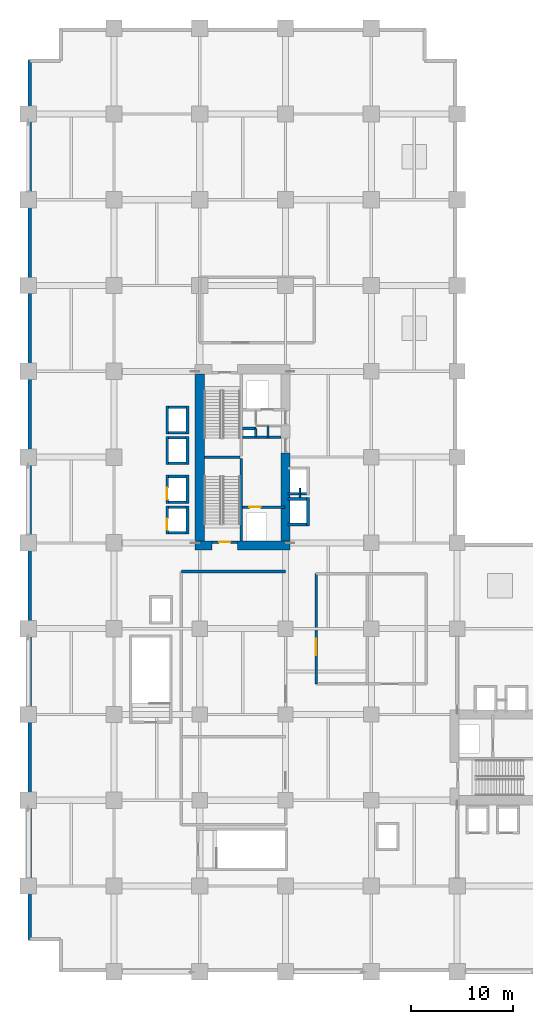
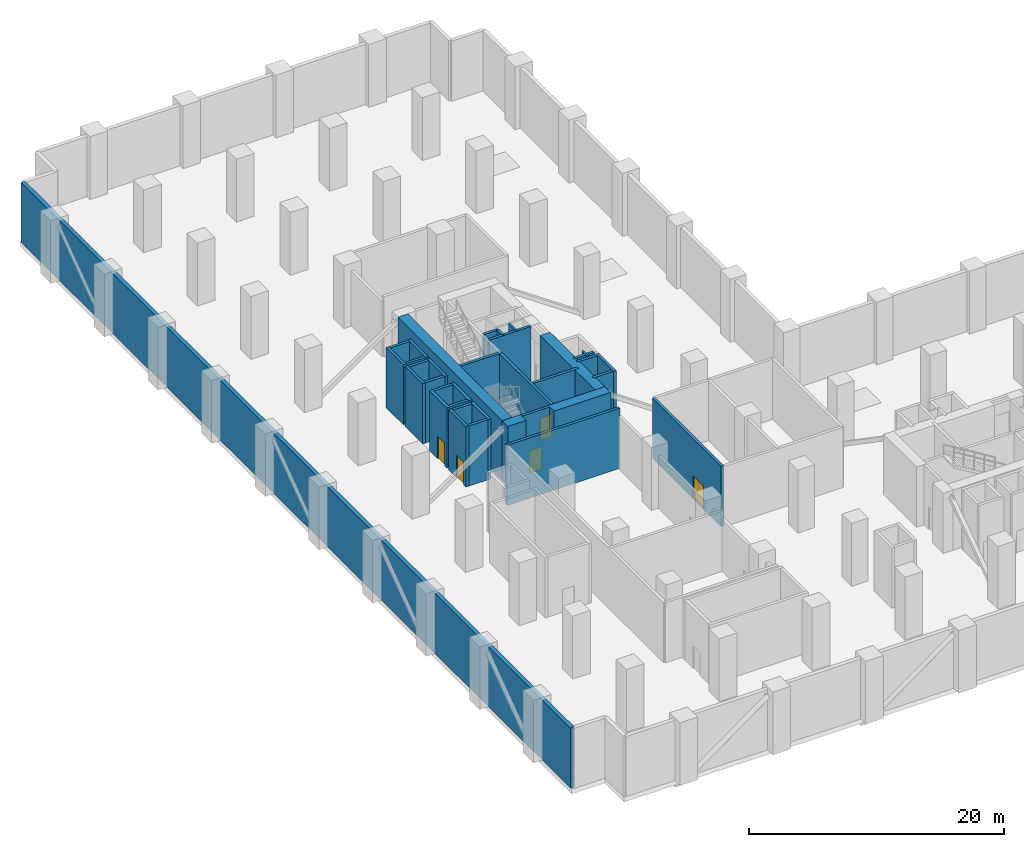
# One storey, part 15 of 20: 36 walls, 5 doors, 5 openings.
"""IFC4 building model written with IfcOpenShell, lengths in metres."""

from ifc_helpers import new_model, si_unit, direction, frame, frame_2d, origin, place, context, subcontext, project, spatial, rectangle, extrude, material, layer, layer_set, type_object, element, fill, save


model = new_model("IFC4")

# Units and contexts
model_context = context("Model", 3, precision=1e-05, world=origin(), true_north=direction((0.0, 1.0)))
body_context = subcontext(model_context, "Body", "Model", "MODEL_VIEW")
ifc_project = project(units=[si_unit("LENGTHUNIT", "METRE"), si_unit("AREAUNIT", "SQUARE_METRE"), si_unit("VOLUMEUNIT", "CUBIC_METRE"), si_unit("PLANEANGLEUNIT", "RADIAN"), si_unit("MASSUNIT", "GRAM", prefix="KILO")], contexts=[model_context])

# Site, building, storey
site_placement = place(None, origin())
site = spatial("IfcSite", under=ifc_project, at=site_placement, CompositionType="ELEMENT")
building_placement = place(site_placement, origin())
building = spatial("IfcBuilding", under=site, at=building_placement, Name="Koriwani Terraces Tower", CompositionType="ELEMENT")
storey_placement = place(building_placement, frame((0.0, 0.0, 26.0)))
storey = spatial("IfcBuildingStorey", under=building, at=storey_placement, Name="L05", CompositionType="ELEMENT", Elevation=26.0)

# Walls
ifc_material_1 = material(Name="Concrete C60/75", Category="concrete")
ifc_layer_1 = layer(ifc_material_1, 0.89990234375, Name="Concrete C60/75")
ifc_layer_set_1 = layer_set([ifc_layer_1], Name="Concrete C60/75")
wall_type_1 = type_object("IfcWallType", Name="WALL_CORE_RC_900", PredefinedType="SHEAR", material=ifc_layer_set_1)
wall_1_placement = place(storey_placement, frame((16.35009765625, 41.75, 0.0), z_axis=(0.0, 0.0, 1.0), x_axis=(1.0, 0.0, 0.0)))
element("IfcWall", 1, at=wall_1_placement, inside=storey, type_object=wall_type_1, Name="L05 West Split Core Shear Wall S1", PredefinedType="SHEAR", context=body_context, shape_type="SweptSolid", body=[
    extrude(rectangle(XDim=1.64990234375, YDim=0.89990234375, at=frame_2d((0.824951171875, 0.0))), origin(), (0.0, 0.0, 1.0), 5.75),
])
wall_2_placement = place(storey_placement, frame((20.5, 41.75, 0.0), z_axis=(0.0, 0.0, 1.0), x_axis=(1.0, 0.0, 0.0)))
element("IfcWall", 2, at=wall_2_placement, inside=storey, type_object=wall_type_1, Name="L05 West Split Core Shear Wall S2", PredefinedType="SHEAR", context=body_context, shape_type="SweptSolid", body=[
    extrude(rectangle(XDim=5.14990234375, YDim=0.89990234375, at=frame_2d((2.574951171875, 0.0))), origin(), (0.0, 0.0, 1.0), 5.75),
])
wall_3_placement = place(storey_placement, frame((16.800048828125, 42.199951171875, 0.0), z_axis=(0.0, 0.0, 1.0), x_axis=(0.0, 1.0, 0.0)))
element("IfcWall", 3, at=wall_3_placement, inside=storey, type_object=wall_type_1, Name="L05 West Split Core Shear Wall W1", PredefinedType="SHEAR", context=body_context, shape_type="SweptSolid", body=[
    extrude(rectangle(XDim=16.35009765625, YDim=0.89990234375, at=frame_2d((8.175048828125, 0.0))), origin(), (0.0, 0.0, 1.0), 5.75),
])
wall_4_placement = place(storey_placement, frame((25.199951171875, 42.199951171875, 0.0), z_axis=(0.0, 0.0, 1.0), x_axis=(0.0, 1.0, 0.0)))
element("IfcWall", 4, at=wall_4_placement, inside=storey, type_object=wall_type_1, Name="L05 West Split Core Shear Wall E1", PredefinedType="SHEAR", context=body_context, shape_type="SweptSolid", body=[
    extrude(rectangle(XDim=8.60009765625, YDim=0.89990234375, at=frame_2d((4.300048828125, 0.0))), origin(), (0.0, 0.0, 1.0), 5.75),
])
ifc_material_2 = material(Name="Concrete C50/60", Category="concrete")
ifc_layer_2 = layer(ifc_material_2, 0.35009765625, Name="Concrete C50/60")
ifc_layer_set_2 = layer_set([ifc_layer_2], Name="Concrete C50/60")
wall_type_2 = type_object("IfcWallType", Name="WALL_EXT_BRUTALIST_350", PredefinedType="STANDARD", material=ifc_layer_set_2)
wall_5_placement = place(storey_placement, frame((0.175048828125, 3.175048828125, 0.0), z_axis=(0.0, 0.0, 1.0), x_axis=(0.0, 1.0, 0.0)))
element("IfcWall", 5, at=wall_5_placement, inside=storey, type_object=wall_type_2, Name="L05 Fair-Faced Brutalist Exterior Wall (W)", PredefinedType="STANDARD", context=body_context, shape_type="SweptSolid", body=[
    extrude(rectangle(XDim=86.050048828125, YDim=0.35009765625, at=frame_2d((43.02490234375, 0.0))), origin(), (0.0, 0.0, 1.0), 5.75),
])
ifc_material_3 = material(Name="Concrete C40/50", Category="concrete")
ifc_layer_3 = layer(ifc_material_3, 0.25, Name="Concrete C40/50")
ifc_layer_set_3 = layer_set([ifc_layer_3], Name="Concrete C40/50")
wall_type_3 = type_object("IfcWallType", Name="WALL_SHAFT_RATED_250", PredefinedType="SOLIDWALL", material=ifc_layer_set_3)
wall_6_placement = place(storey_placement, frame((20.875, 42.199951171875, 0.0), z_axis=(0.0, 0.0, 1.0), x_axis=(0.0, 1.0, 0.0)))
element("IfcWall", 6, at=wall_6_placement, inside=storey, type_object=wall_type_3, Name="L05 West Split Core Web Wall MID1", PredefinedType="SOLIDWALL", context=body_context, shape_type="SweptSolid", body=[
    extrude(rectangle(XDim=8.050048828125, YDim=0.25, at=frame_2d((4.02490234375, 0.0))), origin(), (0.0, 0.0, 1.0), 5.75),
])
wall_7_placement = place(storey_placement, frame((17.25, 50.375, 0.0), z_axis=(0.0, 0.0, 1.0), x_axis=(1.0, 0.0, 0.0)))
element("IfcWall", 7, at=wall_7_placement, inside=storey, type_object=wall_type_3, Name="L05 West Split Core Stair Dividing Wall", PredefinedType="SOLIDWALL", context=body_context, shape_type="SweptSolid", body=[
    extrude(rectangle(XDim=3.5, YDim=0.25, at=frame_2d((1.75, 0.0))), origin(), (0.0, 0.0, 1.0), 5.75),
])

# Wall, opening, door
wall_8_placement = place(storey_placement, frame((18.0, 42.074951171875, 0.0), z_axis=(0.0, 0.0, 1.0), x_axis=(1.0, 0.0, 0.0)))
wall_8 = element("IfcWall", 8, at=wall_8_placement, inside=storey, type_object=wall_type_3, Name="L05 Interior Wall WIN-CW-L05-STS", PredefinedType="SOLIDWALL", context=body_context, shape_type="SweptSolid", body=[
    extrude(rectangle(XDim=2.5, YDim=0.25, at=frame_2d((1.25, 0.0))), origin(), (0.0, 0.0, 1.0), 5.75),
])
opening_1_placement = place(wall_8_placement, frame((0.699951171875, 0.0, 0.0)))
opening_1 = element("IfcOpeningElement", 9, at=opening_1_placement, cuts=wall_8, Name="Opening D-03", PredefinedType="OPENING", context=body_context, shape_type="SweptSolid", body=[
    extrude(rectangle(XDim=1.10009765625, YDim=2.14990234375, at=frame_2d((0.550048828125, 1.074951171875))), frame((0.0, 0.135009765625, 0.0), z_axis=(0.0, -1.0, 0.0), x_axis=(1.0, 0.0, 0.0)), (0.0, 0.0, 1.0), 0.27001953125),
])
ifc_material_4 = material(Name="Steel ASTM A572 Grade 50", Category="steel")
door_type_1 = type_object("IfcDoorType", Name="DOOR_STAIR_FIRE_1100X2150", OperationType="NOTDEFINED", PredefinedType="DOOR", material=ifc_material_4)
door_1_placement = place(opening_1_placement, origin())
door_1 = element("IfcDoor", 10, at=door_1_placement, inside=storey, type_object=door_type_1, Name="L05 Exit Stair ST-W1 Door", OperationType="SINGLE_SWING_LEFT", OverallHeight=2.14990234375, OverallWidth=1.10009765625, PredefinedType="DOOR", context=body_context, shape_type="SweptSolid", body=[
    extrude(rectangle(XDim=1.10009765625, YDim=2.14990234375, at=frame_2d((0.550048828125, 1.074951171875))), frame((0.0, 0.02490234375, 0.0), z_axis=(0.0, -1.0, 0.0), x_axis=(1.0, 0.0, 0.0)), (0.0, 0.0, 1.0), 0.050048828125),
])
fill(opening_1, door_1)

wall_9_placement = place(storey_placement, frame((21.0, 45.5, 0.0), z_axis=(0.0, 0.0, 1.0), x_axis=(1.0, 0.0, 0.0)))
wall_9 = element("IfcWall", 11, at=wall_9_placement, inside=storey, type_object=wall_type_3, Name="L05 Interior Wall WIN-CW-L05-FE", PredefinedType="SOLIDWALL", context=body_context, shape_type="SweptSolid", body=[
    extrude(rectangle(XDim=4.14990234375, YDim=0.25, at=frame_2d((2.074951171875, 0.0))), origin(), (0.0, 0.0, 1.0), 5.75),
])
opening_2_placement = place(wall_9_placement, frame((0.64990234375, 0.0, 0.0)))
opening_2 = element("IfcOpeningElement", 12, at=opening_2_placement, cuts=wall_9, Name="Opening LD-01", PredefinedType="OPENING", context=body_context, shape_type="SweptSolid", body=[
    extrude(rectangle(XDim=1.10009765625, YDim=2.14990234375, at=frame_2d((0.550048828125, 1.074951171875))), frame((0.0, 0.135009765625, 0.0), z_axis=(0.0, -1.0, 0.0), x_axis=(1.0, 0.0, 0.0)), (0.0, 0.0, 1.0), 0.27001953125),
])
door_type_2 = type_object("IfcDoorType", Name="DOOR_LIFT_LANDING_1100X2200", OperationType="NOTDEFINED", PredefinedType="DOOR", material=ifc_material_4)
door_2_placement = place(opening_2_placement, origin())
door_2 = element("IfcDoor", 13, at=door_2_placement, inside=storey, type_object=door_type_2, Name="L05 Firefighting Lift FE-01 Landing Door", OperationType="SLIDING_TO_LEFT", OverallHeight=2.14990234375, OverallWidth=1.10009765625, PredefinedType="DOOR", context=body_context, shape_type="SweptSolid", body=[
    extrude(rectangle(XDim=1.10009765625, YDim=2.14990234375, at=frame_2d((0.550048828125, 1.074951171875))), frame((0.0, 0.02490234375, 0.0), z_axis=(0.0, -1.0, 0.0), x_axis=(1.0, 0.0, 0.0)), (0.0, 0.0, 1.0), 0.050048828125),
])
fill(opening_2, door_2)

# Walls
wall_10_placement = place(storey_placement, frame((21.0, 52.340087890625, 0.0), z_axis=(0.0, 0.0, 1.0), x_axis=(1.0, 0.0, 0.0)))
element("IfcWall", 14, at=wall_10_placement, inside=storey, type_object=wall_type_3, Name="L05 Interior Wall WIN-CW-L05-FFN", PredefinedType="SOLIDWALL", context=body_context, shape_type="SweptSolid", body=[
    extrude(rectangle(XDim=3.75, YDim=0.25, at=frame_2d((1.875, 0.0))), origin(), (0.0, 0.0, 1.0), 5.75),
])
wall_11_placement = place(storey_placement, frame((21.0, 53.199951171875, 0.0), z_axis=(0.0, 0.0, 1.0), x_axis=(1.0, 0.0, 0.0)))
element("IfcWall", 15, at=wall_11_placement, inside=storey, type_object=wall_type_3, Name="L05 Interior Wall WIN-CW-L05-RS1", PredefinedType="SOLIDWALL", context=body_context, shape_type="SweptSolid", body=[
    extrude(rectangle(XDim=1.300048828125, YDim=0.25, at=frame_2d((0.64990234375, 0.0))), origin(), (0.0, 0.0, 1.0), 5.75),
])
wall_12_placement = place(storey_placement, frame((22.300048828125, 52.360107421875, 0.0), z_axis=(0.0, 0.0, 1.0), x_axis=(0.0, 1.0, 0.0)))
element("IfcWall", 16, at=wall_12_placement, inside=storey, type_object=wall_type_3, Name="L05 Interior Wall WIN-CW-L05-RS2", PredefinedType="SOLIDWALL", context=body_context, shape_type="SweptSolid", body=[
    extrude(rectangle(XDim=0.83984375, YDim=0.25, at=frame_2d((0.419921875, 0.0))), origin(), (0.0, 0.0, 1.0), 5.75),
])

# Wall, opening, door
wall_13_placement = place(storey_placement, frame((13.60009765625, 42.875, 0.0), z_axis=(0.0, 0.0, 1.0), x_axis=(0.0, 1.0, 0.0)))
wall_13 = element("IfcWall", 17, at=wall_13_placement, inside=storey, type_object=wall_type_3, Name="L05 Interior Wall WIN-LF-PE-L1-L05-F", PredefinedType="SOLIDWALL", context=body_context, shape_type="SweptSolid", body=[
    extrude(rectangle(XDim=2.75, YDim=0.25, at=frame_2d((1.375, 0.0))), origin(), (0.0, 0.0, 1.0), 5.75),
])
opening_3_placement = place(wall_13_placement, frame((0.39990234375, 0.0, 0.0)))
opening_3 = element("IfcOpeningElement", 18, at=opening_3_placement, cuts=wall_13, Name="Opening LD-01", PredefinedType="OPENING", context=body_context, shape_type="SweptSolid", body=[
    extrude(rectangle(XDim=1.10009765625, YDim=2.14990234375, at=frame_2d((0.550048828125, 1.074951171875))), frame((0.0, 0.135009765625, 0.0), z_axis=(0.0, -1.0, 0.0), x_axis=(1.0, 0.0, 0.0)), (0.0, 0.0, 1.0), 0.27001953125),
])
door_3_placement = place(opening_3_placement, origin())
door_3 = element("IfcDoor", 19, at=door_3_placement, inside=storey, type_object=door_type_2, Name="L05 Passenger Lift PE-L1 Landing Door", OperationType="SLIDING_TO_LEFT", OverallHeight=2.14990234375, OverallWidth=1.10009765625, PredefinedType="DOOR", context=body_context, shape_type="SweptSolid", body=[
    extrude(rectangle(XDim=1.10009765625, YDim=2.14990234375, at=frame_2d((0.550048828125, 1.074951171875))), frame((0.0, 0.02490234375, 0.0), z_axis=(0.0, -1.0, 0.0), x_axis=(1.0, 0.0, 0.0)), (0.0, 0.0, 1.0), 0.050048828125),
])
fill(opening_3, door_3)

# Walls
wall_14_placement = place(storey_placement, frame((15.60009765625, 42.875, 0.0), z_axis=(0.0, 0.0, 1.0), x_axis=(0.0, 1.0, 0.0)))
element("IfcWall", 20, at=wall_14_placement, inside=storey, type_object=wall_type_3, Name="L05 Interior Wall WIN-LF-PE-L1-L05-B", PredefinedType="SOLIDWALL", context=body_context, shape_type="SweptSolid", body=[
    extrude(rectangle(XDim=2.75, YDim=0.25, at=frame_2d((1.375, 0.0))), origin(), (0.0, 0.0, 1.0), 5.75),
])
for number, where, z_axis, x_axis, name in (
    (21, (13.72509765625, 43.0, 0.0), (0.0, 0.0, 1.0), (1.0, 0.0, 0.0), "L05 Interior Wall WIN-LF-PE-L1-L05-S"),
    (22, (13.72509765625, 45.5, 0.0), (0.0, 0.0, 1.0), (1.0, 0.0, 0.0), "L05 Interior Wall WIN-LF-PE-L1-L05-N"),
):
    element("IfcWall", number, at=place(storey_placement, frame(where, z_axis=z_axis, x_axis=x_axis)), inside=storey, type_object=wall_type_3, Name=name, PredefinedType="SOLIDWALL", context=body_context, shape_type="SweptSolid", body=[
        extrude(rectangle(XDim=1.75, YDim=0.25, at=frame_2d((0.875, 0.0))), origin(), (0.0, 0.0, 1.0), 5.75),
    ])

# Wall, opening, door
wall_15_placement = place(storey_placement, frame((13.60009765625, 45.875, 0.0), z_axis=(0.0, 0.0, 1.0), x_axis=(0.0, 1.0, 0.0)))
wall_15 = element("IfcWall", 23, at=wall_15_placement, inside=storey, type_object=wall_type_3, Name="L05 Interior Wall WIN-LF-PE-L2-L05-F", PredefinedType="SOLIDWALL", context=body_context, shape_type="SweptSolid", body=[
    extrude(rectangle(XDim=2.75, YDim=0.25, at=frame_2d((1.375, 0.0))), origin(), (0.0, 0.0, 1.0), 5.75),
])
opening_4_placement = place(wall_15_placement, frame((0.39990234375, 0.0, 0.0)))
opening_4 = element("IfcOpeningElement", 24, at=opening_4_placement, cuts=wall_15, Name="Opening LD-01", PredefinedType="OPENING", context=body_context, shape_type="SweptSolid", body=[
    extrude(rectangle(XDim=1.10009765625, YDim=2.14990234375, at=frame_2d((0.550048828125, 1.074951171875))), frame((0.0, 0.135009765625, 0.0), z_axis=(0.0, -1.0, 0.0), x_axis=(1.0, 0.0, 0.0)), (0.0, 0.0, 1.0), 0.27001953125),
])
door_4_placement = place(opening_4_placement, origin())
door_4 = element("IfcDoor", 25, at=door_4_placement, inside=storey, type_object=door_type_2, Name="L05 Passenger Lift PE-L2 Landing Door", OperationType="SLIDING_TO_LEFT", OverallHeight=2.14990234375, OverallWidth=1.10009765625, PredefinedType="DOOR", context=body_context, shape_type="SweptSolid", body=[
    extrude(rectangle(XDim=1.10009765625, YDim=2.14990234375, at=frame_2d((0.550048828125, 1.074951171875))), frame((0.0, 0.02490234375, 0.0), z_axis=(0.0, -1.0, 0.0), x_axis=(1.0, 0.0, 0.0)), (0.0, 0.0, 1.0), 0.050048828125),
])
fill(opening_4, door_4)

# Walls
wall_16_placement = place(storey_placement, frame((15.60009765625, 45.875, 0.0), z_axis=(0.0, 0.0, 1.0), x_axis=(0.0, 1.0, 0.0)))
element("IfcWall", 26, at=wall_16_placement, inside=storey, type_object=wall_type_3, Name="L05 Interior Wall WIN-LF-PE-L2-L05-B", PredefinedType="SOLIDWALL", context=body_context, shape_type="SweptSolid", body=[
    extrude(rectangle(XDim=2.75, YDim=0.25, at=frame_2d((1.375, 0.0))), origin(), (0.0, 0.0, 1.0), 5.75),
])
for number, where, z_axis, x_axis, name in (
    (27, (13.72509765625, 46.0, 0.0), (0.0, 0.0, 1.0), (1.0, 0.0, 0.0), "L05 Interior Wall WIN-LF-PE-L2-L05-S"),
    (28, (13.72509765625, 48.5, 0.0), (0.0, 0.0, 1.0), (1.0, 0.0, 0.0), "L05 Interior Wall WIN-LF-PE-L2-L05-N"),
):
    element("IfcWall", number, at=place(storey_placement, frame(where, z_axis=z_axis, x_axis=x_axis)), inside=storey, type_object=wall_type_3, Name=name, PredefinedType="SOLIDWALL", context=body_context, shape_type="SweptSolid", body=[
        extrude(rectangle(XDim=1.75, YDim=0.25, at=frame_2d((0.875, 0.0))), origin(), (0.0, 0.0, 1.0), 5.75),
    ])
for number, where, z_axis, x_axis, name in (
    (29, (13.60009765625, 49.675048828125, 0.0), (0.0, 0.0, 1.0), (0.0, 1.0, 0.0), "L05 Interior Wall WIN-LF-PE-M1-L05-F"),
    (30, (15.60009765625, 49.675048828125, 0.0), (0.0, 0.0, 1.0), (0.0, 1.0, 0.0), "L05 Interior Wall WIN-LF-PE-M1-L05-B"),
):
    element("IfcWall", number, at=place(storey_placement, frame(where, z_axis=z_axis, x_axis=x_axis)), inside=storey, type_object=wall_type_3, Name=name, PredefinedType="SOLIDWALL", context=body_context, shape_type="SweptSolid", body=[
        extrude(rectangle(XDim=2.75, YDim=0.25, at=frame_2d((1.375, 0.0))), origin(), (0.0, 0.0, 1.0), 5.75),
    ])
for number, where, z_axis, x_axis, name in (
    (31, (13.72509765625, 49.800048828125, 0.0), (0.0, 0.0, 1.0), (1.0, 0.0, 0.0), "L05 Interior Wall WIN-LF-PE-M1-L05-S"),
    (32, (13.72509765625, 52.300048828125, 0.0), (0.0, 0.0, 1.0), (1.0, 0.0, 0.0), "L05 Interior Wall WIN-LF-PE-M1-L05-N"),
):
    element("IfcWall", number, at=place(storey_placement, frame(where, z_axis=z_axis, x_axis=x_axis)), inside=storey, type_object=wall_type_3, Name=name, PredefinedType="SOLIDWALL", context=body_context, shape_type="SweptSolid", body=[
        extrude(rectangle(XDim=1.75, YDim=0.25, at=frame_2d((0.875, 0.0))), origin(), (0.0, 0.0, 1.0), 5.75),
    ])
for number, where, z_axis, x_axis, name in (
    (33, (13.60009765625, 52.675048828125, 0.0), (0.0, 0.0, 1.0), (0.0, 1.0, 0.0), "L05 Interior Wall WIN-LF-PE-M2-L05-F"),
    (34, (15.60009765625, 52.675048828125, 0.0), (0.0, 0.0, 1.0), (0.0, 1.0, 0.0), "L05 Interior Wall WIN-LF-PE-M2-L05-B"),
):
    element("IfcWall", number, at=place(storey_placement, frame(where, z_axis=z_axis, x_axis=x_axis)), inside=storey, type_object=wall_type_3, Name=name, PredefinedType="SOLIDWALL", context=body_context, shape_type="SweptSolid", body=[
        extrude(rectangle(XDim=2.75, YDim=0.25, at=frame_2d((1.375, 0.0))), origin(), (0.0, 0.0, 1.0), 5.75),
    ])
for number, where, z_axis, x_axis, name in (
    (35, (13.72509765625, 52.800048828125, 0.0), (0.0, 0.0, 1.0), (1.0, 0.0, 0.0), "L05 Interior Wall WIN-LF-PE-M2-L05-S"),
    (36, (13.72509765625, 55.300048828125, 0.0), (0.0, 0.0, 1.0), (1.0, 0.0, 0.0), "L05 Interior Wall WIN-LF-PE-M2-L05-N"),
):
    element("IfcWall", number, at=place(storey_placement, frame(where, z_axis=z_axis, x_axis=x_axis)), inside=storey, type_object=wall_type_3, Name=name, PredefinedType="SOLIDWALL", context=body_context, shape_type="SweptSolid", body=[
        extrude(rectangle(XDim=1.75, YDim=0.25, at=frame_2d((0.875, 0.0))), origin(), (0.0, 0.0, 1.0), 5.75),
    ])
wall_17_placement = place(storey_placement, frame((27.39990234375, 43.675048828125, 0.0), z_axis=(0.0, 0.0, 1.0), x_axis=(0.0, 1.0, 0.0)))
element("IfcWall", 37, at=wall_17_placement, inside=storey, type_object=wall_type_3, Name="L05 Interior Wall WIN-LF-PE-H1-L05-F", PredefinedType="SOLIDWALL", context=body_context, shape_type="SweptSolid", body=[
    extrude(rectangle(XDim=2.75, YDim=0.25, at=frame_2d((1.375, 0.0))), origin(), (0.0, 0.0, 1.0), 5.75),
])
for number, where, z_axis, x_axis, name in (
    (38, (25.449951171875, 43.800048828125, 0.0), (0.0, 0.0, 1.0), (1.0, 0.0, 0.0), "L05 Interior Wall WIN-LF-PE-H1-L05-S"),
    (39, (25.449951171875, 46.300048828125, 0.0), (0.0, 0.0, 1.0), (1.0, 0.0, 0.0), "L05 Interior Wall WIN-LF-PE-H1-L05-N"),
    (40, (25.449951171875, 46.800048828125, 0.0), (0.0, 0.0, 1.0), (1.0, 0.0, 0.0), "L05 Interior Wall WIN-LF-PE-H2-L05-S"),
):
    element("IfcWall", number, at=place(storey_placement, frame(where, z_axis=z_axis, x_axis=x_axis)), inside=storey, type_object=wall_type_3, Name=name, PredefinedType="SOLIDWALL", context=body_context, shape_type="SweptSolid", body=[
        extrude(rectangle(XDim=1.824951171875, YDim=0.25, at=frame_2d((0.91259765625, 0.0))), origin(), (0.0, 0.0, 1.0), 5.75),
    ])
wall_18_placement = place(storey_placement, frame((15.0, 39.199951171875, 0.0), z_axis=(0.0, 0.0, 1.0), x_axis=(1.0, 0.0, 0.0)))
element("IfcWall", 41, at=wall_18_placement, inside=storey, type_object=wall_type_3, Name="L05 Interior Wall WPL-L05-N", PredefinedType="SOLIDWALL", context=body_context, shape_type="SweptSolid", body=[
    extrude(rectangle(XDim=10.199951171875, YDim=0.25, at=frame_2d((5.10009765625, 0.0))), origin(), (0.0, 0.0, 1.0), 5.75),
])

# Wall, opening, door
wall_19_placement = place(storey_placement, frame((28.199951171875, 28.199951171875, 0.0), z_axis=(0.0, 0.0, 1.0), x_axis=(0.0, 1.0, 0.0)))
wall_19 = element("IfcWall", 42, at=wall_19_placement, inside=storey, type_object=wall_type_3, Name="L05 Interior Wall WPL2-L05-W", PredefinedType="SOLIDWALL", context=body_context, shape_type="SweptSolid", body=[
    extrude(rectangle(XDim=10.800048828125, YDim=0.25, at=frame_2d((5.39990234375, 0.0))), origin(), (0.0, 0.0, 1.0), 5.75),
])
opening_5_placement = place(wall_19_placement, frame((2.800048828125, 0.0, 0.0)))
opening_5 = element("IfcOpeningElement", 43, at=opening_5_placement, cuts=wall_19, Name="Opening D-08", PredefinedType="OPENING", context=body_context, shape_type="SweptSolid", body=[
    extrude(rectangle(XDim=1.60009765625, YDim=2.199951171875, at=frame_2d((0.800048828125, 1.10009765625))), frame((0.0, 0.135009765625, 0.0), z_axis=(0.0, -1.0, 0.0), x_axis=(1.0, 0.0, 0.0)), (0.0, 0.0, 1.0), 0.27001953125),
])
door_type_3 = type_object("IfcDoorType", Name="DOOR_PLANT_DOUBLE_1600X2200", OperationType="NOTDEFINED", PredefinedType="DOOR", material=ifc_material_4)
door_5_placement = place(opening_5_placement, origin())
door_5 = element("IfcDoor", 44, at=door_5_placement, inside=storey, type_object=door_type_3, Name="L05 Booster Pump and Tank Room Door", OperationType="SINGLE_SWING_LEFT", OverallHeight=2.199951171875, OverallWidth=1.60009765625, PredefinedType="DOOR", context=body_context, shape_type="SweptSolid", body=[
    extrude(rectangle(XDim=1.60009765625, YDim=2.199951171875, at=frame_2d((0.800048828125, 1.10009765625))), frame((0.0, 0.02490234375, 0.0), z_axis=(0.0, -1.0, 0.0), x_axis=(1.0, 0.0, 0.0)), (0.0, 0.0, 1.0), 0.050048828125),
])
fill(opening_5, door_5)

# Walls
ifc_material_5 = material(Name="Fire-Rated Acoustic Gypsum Partition", Category="masonry")
ifc_layer_4 = layer(ifc_material_5, 0.159912109375, Name="Fire-Rated Acoustic Gypsum Partition")
ifc_layer_set_4 = layer_set([ifc_layer_4], Name="Fire-Rated Acoustic Gypsum Partition")
wall_type_4 = type_object("IfcWallType", Name="WALL_SUITE_160", PredefinedType="PARTITIONING", material=ifc_layer_set_4)
wall_20_placement = place(storey_placement, frame((23.47998046875, 52.360107421875, 0.0), z_axis=(0.0, 0.0, 1.0), x_axis=(0.0, 1.0, 0.0)))
element("IfcWall", 45, at=wall_20_placement, inside=storey, type_object=wall_type_4, Name="L05 Interior Wall WIN-CW-L05-SV2V", PredefinedType="PARTITIONING", context=body_context, shape_type="SweptSolid", body=[
    extrude(rectangle(XDim=1.099853515625, YDim=0.159912109375, at=frame_2d((0.5498046875, 0.0))), origin(), (0.0, 0.0, 1.0), 5.75),
])
wall_21_placement = place(storey_placement, frame((26.60009765625, 46.4599609375, 0.0), z_axis=(0.0, 0.0, 1.0), x_axis=(0.0, 1.0, 0.0)))
element("IfcWall", 46, at=wall_21_placement, inside=storey, type_object=wall_type_4, Name="L05 Interior Wall WIN-LF-PEH12-MID-L05", PredefinedType="PARTITIONING", context=body_context, shape_type="SweptSolid", body=[
    extrude(rectangle(XDim=0.880126953125, YDim=0.159912109375, at=frame_2d((0.43994140625, 0.0))), origin(), (0.0, 0.0, 1.0), 5.75),
])

save(model, "model.ifc")
